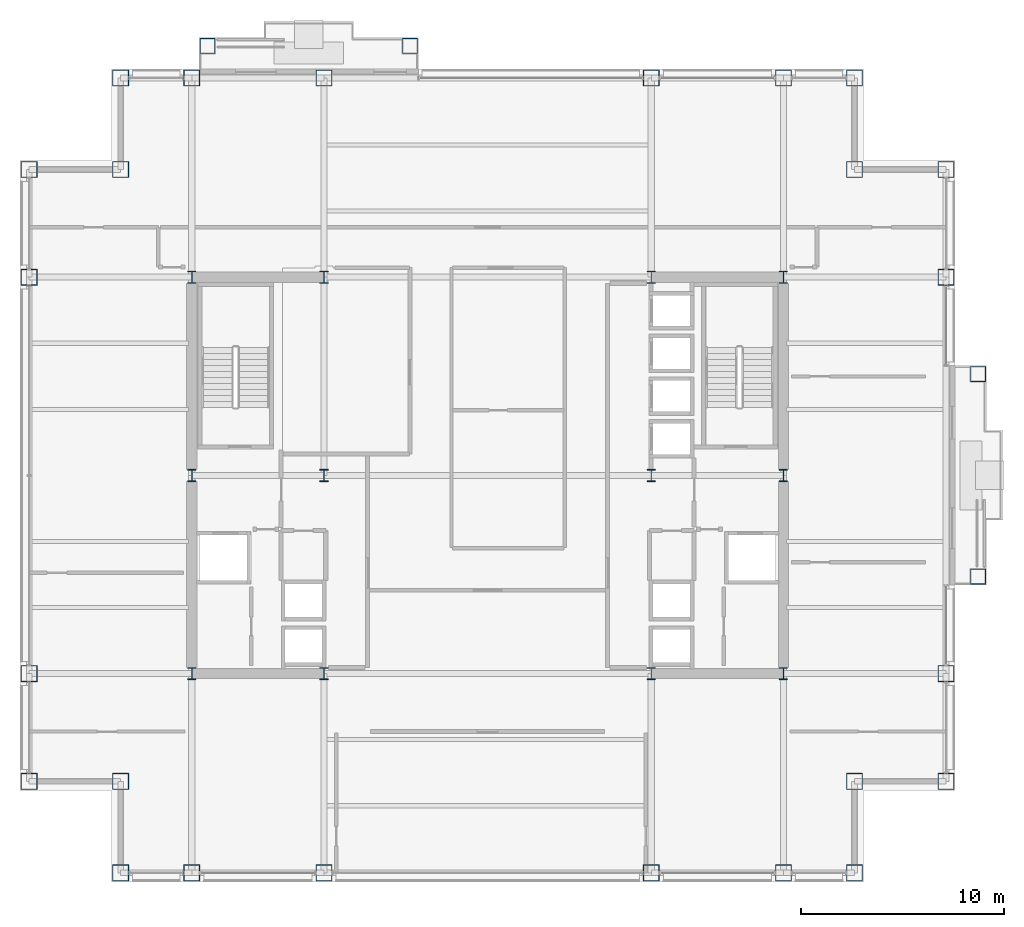
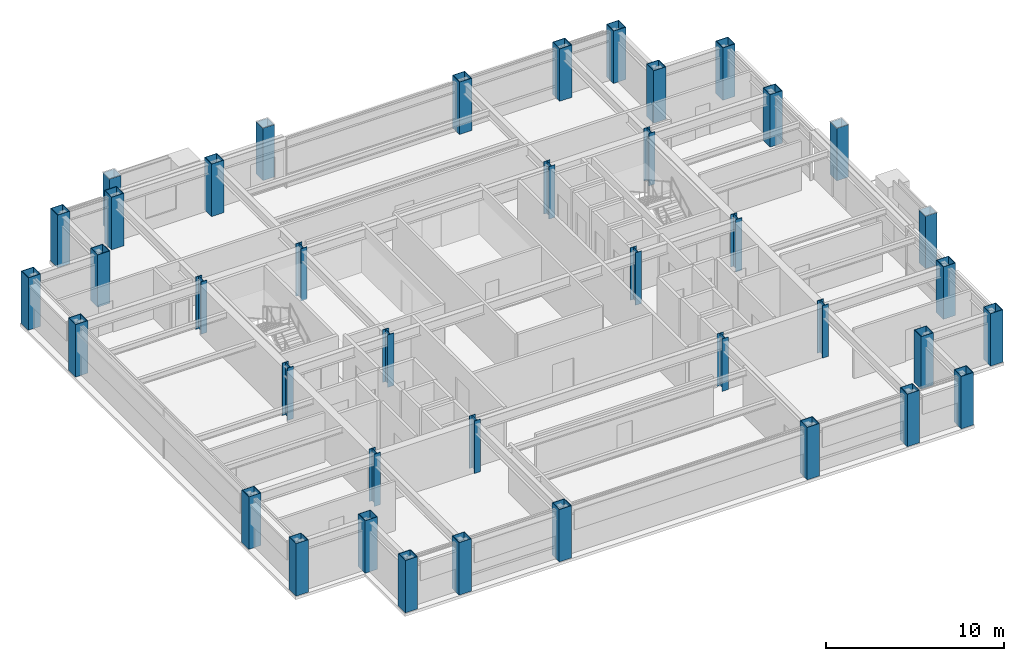
# One storey, part 1 of 29: 40 columns.
"""IFC4 building model written with IfcOpenShell, lengths in metres."""

from ifc_helpers import new_model, si_unit, direction, frame, origin, origin_2d, place, context, subcontext, project, spatial, hollow_rectangle, i_section, extrude, material, material_profile, profile_set, type_object, element, save


model = new_model("IFC4")

# Units and contexts
model_context = context("Model", 3, precision=1e-05, world=origin(), true_north=direction((0.0, 1.0)))
body_context = subcontext(model_context, "Body", "Model", "MODEL_VIEW")
ifc_project = project(units=[si_unit("LENGTHUNIT", "METRE"), si_unit("AREAUNIT", "SQUARE_METRE"), si_unit("VOLUMEUNIT", "CUBIC_METRE"), si_unit("PLANEANGLEUNIT", "RADIAN"), si_unit("MASSUNIT", "GRAM", prefix="KILO")], contexts=[model_context])

# Site, building, storey
site_placement = place(None, origin())
site = spatial("IfcSite", under=ifc_project, at=site_placement, CompositionType="ELEMENT")
building_placement = place(site_placement, origin())
building = spatial("IfcBuilding", under=site, at=building_placement, Name="Brelmoor Portico Tower", CompositionType="ELEMENT")
storey_placement = place(building_placement, frame((0.0, 0.0, 124.199951171875)))
storey = spatial("IfcBuildingStorey", under=building, at=storey_placement, Name="L32", CompositionType="ELEMENT", Elevation=124.199951171875)

# Columns
ifc_material = material(Name="Steel Q355B", Category="steel")
ifc_material_profile_1 = material_profile(ifc_material, hollow_rectangle(XDim=0.75, YDim=0.75, WallThickness=0.031982421875, at=origin_2d()), Name="BOX 750x750x32")
ifc_profile_set_1 = profile_set([ifc_material_profile_1], Name="Steel Q355B")
column_type_1 = type_object("IfcColumnType", Name="COL-MEGA-750", PredefinedType="COLUMN", material=ifc_profile_set_1)
for number, where, z_axis, x_axis, name in (
    (1, (-13.780029296875, 21.1298828125, 0.0), (0.0, 0.0, 1.0), (1.0, 0.0, 0.0), "L32 Proud Picture-Frame Pier PFJ-N1"),
    (2, (-3.820068359375, 21.1298828125, 0.0), (0.0, 0.0, 1.0), (1.0, 0.0, 0.0), "L32 Proud Picture-Frame Pier PFJ-N2"),
    (3, (24.1298828125, -4.97998046875, 0.0), (0.0, 0.0, 1.0), (0.0, 1.0, 0.0), "L32 Proud Picture-Frame Pier PFJ-E1"),
    (4, (24.1298828125, 4.97998046875, 0.0), (0.0, 0.0, 1.0), (0.0, 1.0, 0.0), "L32 Proud Picture-Frame Pier PFJ-E2"),
):
    element("IfcColumn", number, at=place(storey_placement, frame(where, z_axis=z_axis, x_axis=x_axis)), inside=storey, type_object=column_type_1, Name=name, PredefinedType="COLUMN", context=body_context, shape_type="SweptSolid", body=[
        extrude(hollow_rectangle(XDim=0.75, YDim=0.75, WallThickness=0.031982421875, at=origin_2d()), origin(), (0.0, 0.0, 1.0), 3.60009765625),
    ])
ifc_material_profile_2 = material_profile(ifc_material, hollow_rectangle(XDim=0.800048828125, YDim=0.800048828125, WallThickness=0.035888671875, at=origin_2d()), Name="BOX 800x800x36")
ifc_profile_set_2 = profile_set([ifc_material_profile_2], Name="Steel Q355B")
column_type_2 = type_object("IfcColumnType", Name="COL-MEGA-800", PredefinedType="COLUMN", material=ifc_profile_set_2)
for number, where, z_axis, x_axis, name in (
    (5, (-18.050048828125, -19.550048828125, 0.0), (0.0, 0.0, 1.0), (1.0, 0.0, 0.0), "L32 Perimeter Mega-Column PS01"),
    (6, (-14.550048828125, -19.550048828125, 0.0), (0.0, 0.0, 1.0), (1.0, 0.0, 0.0), "L32 Perimeter Mega-Column PS02"),
    (7, (-8.050048828125, -19.550048828125, 0.0), (0.0, 0.0, 1.0), (1.0, 0.0, 0.0), "L32 Perimeter Mega-Column PS03"),
    (8, (8.050048828125, -19.550048828125, 0.0), (0.0, 0.0, 1.0), (1.0, 0.0, 0.0), "L32 Perimeter Mega-Column PS04"),
    (9, (14.550048828125, -19.550048828125, 0.0), (0.0, 0.0, 1.0), (1.0, 0.0, 0.0), "L32 Perimeter Mega-Column PS05"),
    (10, (18.050048828125, -19.550048828125, 0.0), (0.0, 0.0, 1.0), (1.0, 0.0, 0.0), "L32 Perimeter Mega-Column PS06"),
    (11, (-18.050048828125, 19.550048828125, 0.0), (0.0, 0.0, 1.0), (1.0, 0.0, 0.0), "L32 Perimeter Mega-Column PN01"),
    (12, (-14.550048828125, 19.550048828125, 0.0), (0.0, 0.0, 1.0), (1.0, 0.0, 0.0), "L32 Perimeter Mega-Column PN02"),
    (13, (-8.050048828125, 19.550048828125, 0.0), (0.0, 0.0, 1.0), (1.0, 0.0, 0.0), "L32 Perimeter Mega-Column PN03"),
    (14, (8.050048828125, 19.550048828125, 0.0), (0.0, 0.0, 1.0), (1.0, 0.0, 0.0), "L32 Perimeter Mega-Column PN04"),
    (15, (14.550048828125, 19.550048828125, 0.0), (0.0, 0.0, 1.0), (1.0, 0.0, 0.0), "L32 Perimeter Mega-Column PN05"),
    (16, (18.050048828125, 19.550048828125, 0.0), (0.0, 0.0, 1.0), (1.0, 0.0, 0.0), "L32 Perimeter Mega-Column PN06"),
    (17, (-22.550048828125, -15.050048828125, 0.0), (0.0, 0.0, 1.0), (0.0, 1.0, 0.0), "L32 Perimeter Mega-Column PW01"),
    (18, (-22.550048828125, -9.75, 0.0), (0.0, 0.0, 1.0), (0.0, 1.0, 0.0), "L32 Perimeter Mega-Column PW02"),
    (19, (-22.550048828125, 9.75, 0.0), (0.0, 0.0, 1.0), (0.0, 1.0, 0.0), "L32 Perimeter Mega-Column PW03"),
    (20, (-22.550048828125, 15.050048828125, 0.0), (0.0, 0.0, 1.0), (0.0, 1.0, 0.0), "L32 Perimeter Mega-Column PW04"),
    (21, (22.550048828125, -15.050048828125, 0.0), (0.0, 0.0, 1.0), (0.0, 1.0, 0.0), "L32 Perimeter Mega-Column PE01"),
    (22, (22.550048828125, -9.75, 0.0), (0.0, 0.0, 1.0), (0.0, 1.0, 0.0), "L32 Perimeter Mega-Column PE02"),
    (23, (22.550048828125, 9.75, 0.0), (0.0, 0.0, 1.0), (0.0, 1.0, 0.0), "L32 Perimeter Mega-Column PE03"),
    (24, (22.550048828125, 15.050048828125, 0.0), (0.0, 0.0, 1.0), (0.0, 1.0, 0.0), "L32 Perimeter Mega-Column PE04"),
    (25, (-18.050048828125, 15.050048828125, 0.0), (0.0, 0.0, 1.0), (1.0, 0.0, 0.0), "L32 Perimeter Mega-Column PC-NW"),
    (26, (18.050048828125, 15.050048828125, 0.0), (0.0, 0.0, 1.0), (1.0, 0.0, 0.0), "L32 Perimeter Mega-Column PC-NE"),
    (27, (18.050048828125, -15.050048828125, 0.0), (0.0, 0.0, 1.0), (1.0, 0.0, 0.0), "L32 Perimeter Mega-Column PC-SE"),
    (28, (-18.050048828125, -15.050048828125, 0.0), (0.0, 0.0, 1.0), (1.0, 0.0, 0.0), "L32 Perimeter Mega-Column PC-SW"),
):
    element("IfcColumn", number, at=place(storey_placement, frame(where, z_axis=z_axis, x_axis=x_axis)), inside=storey, type_object=column_type_2, Name=name, PredefinedType="COLUMN", context=body_context, shape_type="SweptSolid", body=[
        extrude(hollow_rectangle(XDim=0.800048828125, YDim=0.800048828125, WallThickness=0.035888671875, at=origin_2d()), origin(), (0.0, 0.0, 1.0), 3.60009765625),
    ])
ifc_material_profile_3 = material_profile(ifc_material, i_section(OverallWidth=0.39990234375, OverallDepth=0.60009765625, WebThickness=0.02197265625, FlangeThickness=0.035888671875, at=origin_2d()), Name="HW 600x400x22x36")
ifc_profile_set_3 = profile_set([ifc_material_profile_3], Name="Steel Q355B")
column_type_3 = type_object("IfcColumnType", Name="COL-SPINE-600", PredefinedType="COLUMN", material=ifc_profile_set_3)
for number, where, z_axis, x_axis, name in (
    (29, (-14.550048828125, -9.75, 0.0), (0.0, 0.0, 1.0), (1.0, 0.0, 0.0), "L32 Core Spine Column CW-SW"),
    (30, (-14.550048828125, 0.0, 0.0), (0.0, 0.0, 1.0), (1.0, 0.0, 0.0), "L32 Core Spine Column CW-MW"),
    (31, (-14.550048828125, 9.75, 0.0), (0.0, 0.0, 1.0), (1.0, 0.0, 0.0), "L32 Core Spine Column CW-NW"),
    (32, (-8.050048828125, -9.75, 0.0), (0.0, 0.0, 1.0), (1.0, 0.0, 0.0), "L32 Core Spine Column CW-SE"),
    (33, (-8.050048828125, 0.0, 0.0), (0.0, 0.0, 1.0), (1.0, 0.0, 0.0), "L32 Core Spine Column CW-ME"),
    (34, (-8.050048828125, 9.75, 0.0), (0.0, 0.0, 1.0), (1.0, 0.0, 0.0), "L32 Core Spine Column CW-NE"),
    (35, (8.050048828125, -9.75, 0.0), (0.0, 0.0, 1.0), (1.0, 0.0, 0.0), "L32 Core Spine Column CE-SW"),
    (36, (8.050048828125, 0.0, 0.0), (0.0, 0.0, 1.0), (1.0, 0.0, 0.0), "L32 Core Spine Column CE-MW"),
    (37, (8.050048828125, 9.75, 0.0), (0.0, 0.0, 1.0), (1.0, 0.0, 0.0), "L32 Core Spine Column CE-NW"),
    (38, (14.550048828125, -9.75, 0.0), (0.0, 0.0, 1.0), (1.0, 0.0, 0.0), "L32 Core Spine Column CE-SE"),
    (39, (14.550048828125, 0.0, 0.0), (0.0, 0.0, 1.0), (1.0, 0.0, 0.0), "L32 Core Spine Column CE-ME"),
    (40, (14.550048828125, 9.75, 0.0), (0.0, 0.0, 1.0), (1.0, 0.0, 0.0), "L32 Core Spine Column CE-NE"),
):
    element("IfcColumn", number, at=place(storey_placement, frame(where, z_axis=z_axis, x_axis=x_axis)), inside=storey, type_object=column_type_3, Name=name, PredefinedType="COLUMN", context=body_context, shape_type="SweptSolid", body=[
        extrude(i_section(OverallWidth=0.39990234375, OverallDepth=0.60009765625, WebThickness=0.02197265625, FlangeThickness=0.035888671875, at=origin_2d()), origin(), (0.0, 0.0, 1.0), 3.60009765625),
    ])

save(model, "model.ifc")
